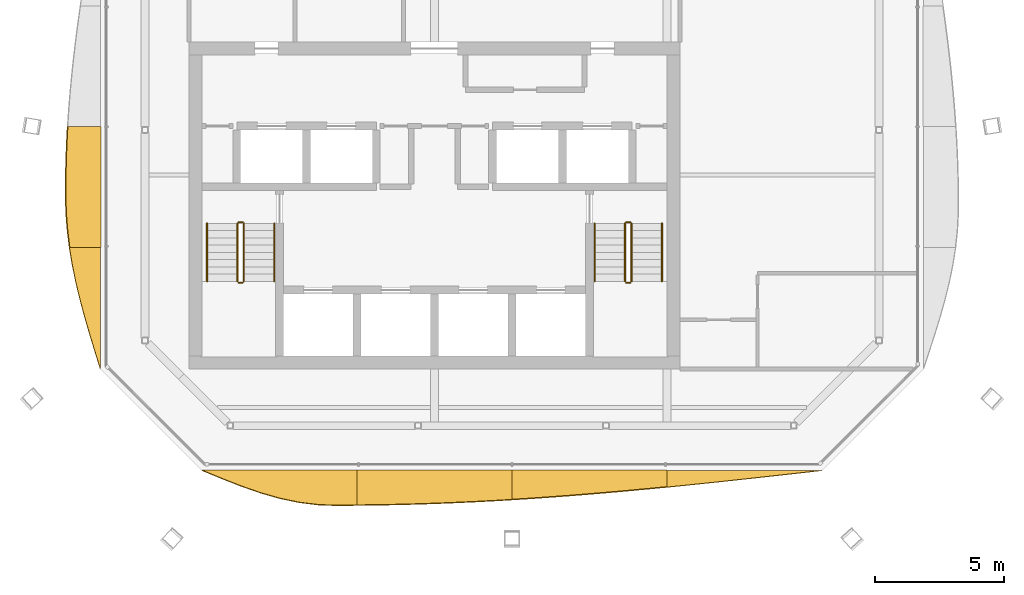
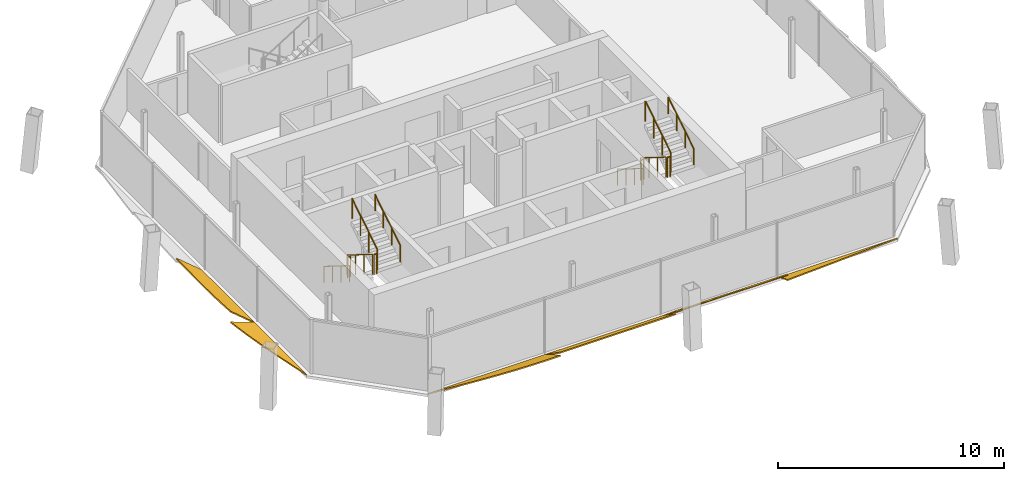
# One storey, part 11 of 13: 12 railings, 6 shading devices.
"""IFC4 building model written with IfcOpenShell, lengths in metres."""

from ifc_helpers import new_model, si_unit, direction, frame, origin, origin_2d, place, context, subcontext, project, spatial, polyline, circle, outline, extrude, material, layer, layer_set, type_object, element, save


model = new_model("IFC4")

# Units and contexts
model_context = context("Model", 3, precision=1e-05, world=origin(), true_north=direction((0.0, 1.0)))
body_context = subcontext(model_context, "Body", "Model", "MODEL_VIEW")
ifc_project = project(units=[si_unit("LENGTHUNIT", "METRE"), si_unit("AREAUNIT", "SQUARE_METRE"), si_unit("VOLUMEUNIT", "CUBIC_METRE"), si_unit("PLANEANGLEUNIT", "RADIAN"), si_unit("MASSUNIT", "GRAM", prefix="KILO")], contexts=[model_context])

# Site, building, storey
site_placement = place(None, origin())
site = spatial("IfcSite", under=ifc_project, at=site_placement, CompositionType="ELEMENT")
building_placement = place(site_placement, origin())
building = spatial("IfcBuilding", under=site, at=building_placement, Name="Tskaro Facet Tower", CompositionType="ELEMENT")
storey_placement = place(building_placement, frame((0.0, 0.0, 281.550048828125)))
storey = spatial("IfcBuildingStorey", under=building, at=storey_placement, Name="L75", CompositionType="ELEMENT", Elevation=281.550048828125)

# Shading devices
ifc_material_1 = material(Name="Bronze anodised aluminium 6063-T6", Category="aluminium")
ifc_layer = layer(ifc_material_1, 0.06005859375, Name="Bronze anodised aluminium 6063-T6")
ifc_layer_set = layer_set([ifc_layer], Name="Bronze anodised aluminium 6063-T6")
shading_device_type = type_object("IfcShadingDeviceType", Name="Bronze sun blade (FN1)", PredefinedType="USERDEFINED", material=ifc_layer_set)
shading_device_1_placement = place(storey_placement, frame((-8.990966796875, -15.91796875, 0.052001953125), z_axis=(-6.409949e-06, 0.499912425114, 0.866075959241), x_axis=(0.999999999979, 3.204413e-06, 5.551503e-06)))
element("IfcShadingDevice", 1, at=shading_device_1_placement, inside=storey, type_object=shading_device_type, Name="Fin blade south 1", ObjectType="FIN", PredefinedType="USERDEFINED", context=body_context, shape_type="SweptSolid", body=[
    extrude(outline(polyline([(0.0, 0.0), (5.995361328001834, -2.5391342878080876e-21), (5.995361328054782, -1.5568990073934441), (5.246093750408389, -1.5611691126705447), (5.084228515254386, -1.5613805569965358), (4.496582031605193, -1.5357925788717726), (3.7470703121330025, -1.4300163383995836), (2.997802735217702, -1.2480211011370024), (2.2482910152687454, -0.9992822503362693), (1.49877929680216, -0.6973991372764128), (0.7495117178660445, -0.3582076054282862), (0.0, 0.0)])), origin(), (0.0, 0.0, -1.0), 0.06005859375),
])
shading_device_2_placement = place(storey_placement, frame((-2.99560546875, -15.91357421875, 0.049072265625), z_axis=(6.169564e-06, 0.573564238419, 0.819160585214), x_axis=(0.999999999981, -3.538641e-06, -5.053864e-06)))
element("IfcShadingDevice", 2, at=shading_device_2_placement, inside=storey, type_object=shading_device_type, Name="Fin blade south 2", ObjectType="FIN", PredefinedType="USERDEFINED", context=body_context, shape_type="SweptSolid", body=[
    extrude(outline(polyline([(0.0, 0.0), (5.995605468635893, 0.0), (5.995605469329377, -1.3860940044512713), (5.246093750140807, -1.4391960830583697), (4.496826171202732, -1.48667795018623), (3.7473144524990136, -1.5283995755032045), (2.997802734654647, -1.5643609590092935), (2.2485351565667755, -1.5941621199499894), (1.4990234369854094, -1.617803058325293), (0.7495117190032502, -1.635003713471908), (1.5259092293364707e-10, -1.6460441460531303), (0.0, 0.0)])), origin(), (0.0, 0.0, -1.0), 0.06005859375),
])
shading_device_3_placement = place(storey_placement, frame((3.0, -15.909423828125, 0.0458984375), z_axis=(-8.470311e-06, 0.642764858309, 0.766063533169), x_axis=(0.999999999964, 5.444418e-06, 6.488796e-06)))
element("IfcShadingDevice", 3, at=shading_device_3_placement, inside=storey, type_object=shading_device_type, Name="Fin blade south 3", ObjectType="FIN", PredefinedType="USERDEFINED", context=body_context, shape_type="SweptSolid", body=[
    extrude(outline(polyline([(0.0, 0.0), (5.995605468534919, 5.0784753707693134e-21), (5.9956054685939115, -0.8435915338687505), (5.246093749812805, -0.9385569019047724), (4.4965820311403535, -1.0297086930409705), (3.7470703125765583, -1.117046907277345), (2.99780273423646, -1.199883640125845), (2.2482910148700768, -1.2782188915864703), (1.498779296176628, -1.3515216821854112), (0.7495117201103083, -1.4196049846928833), (-6.60604787531928e-10, -1.4821850512959474), (0.0, 0.0)])), origin(), (0.0, 0.0, -1.0), 0.06005859375),
])
shading_device_4_placement = place(storey_placement, frame((8.99560546875, -15.927490234375, 0.056396484375), z_axis=(1.331137e-06, 0.341879176398, 0.939743916577), x_axis=(0.999999999999, -4.55088e-07, -1.250928e-06)))
element("IfcShadingDevice", 4, at=shading_device_4_placement, inside=storey, type_object=shading_device_type, Name="Fin blade south 4", ObjectType="FIN", PredefinedType="USERDEFINED", context=body_context, shape_type="SweptSolid", body=[
    extrude(outline(polyline([(0.0, 0.0), (5.995361328119689, 0.0), (5.24584960952645, -0.08958655963602827), (4.496582031336002, -0.17871425993779003), (3.747070312603746, -0.26729963430948483), (2.997558593732469, -0.35488382341684616), (2.248291015430364, -0.4409245013298071), (1.4987792967528337, -0.5253382014525672), (0.7492675781026664, -0.6076660644508599), (-6.243520220201824e-12, -0.6876786606575519), (0.0, 0.0)])), origin(), (0.0, 0.0, -1.0), 0.06005859375),
])
shading_device_5_placement = place(storey_placement, frame((-12.909423828125, -2.630615234375, 0.0458984375), z_axis=(0.642784343183, -5.837445e-06, 0.766047184007), x_axis=(-3.752218e-06, -0.999999999983, -4.471759e-06)))
element("IfcShadingDevice", 5, at=shading_device_5_placement, inside=storey, type_object=shading_device_type, Name="Fin blade west 3", ObjectType="FIN", PredefinedType="USERDEFINED", context=body_context, shape_type="SweptSolid", body=[
    extrude(outline(polyline([(0.0, 0.0), (4.680175781170259, 0.0), (4.68017578120881, -1.5606772281076864), (4.011474609487671, -1.6693340669514936), (3.343017577599321, -1.7379483517860566), (2.6743164062638516, -1.7646433877922192), (2.5834960945057994, -1.7651743640400792), (2.005615234676135, -1.7601419052007632), (1.3371582028846138, -1.7414179753487917), (0.6684570311200971, -1.7095335507320253), (-2.834926505946393e-10, -1.6643016081121775), (0.0, 0.0)])), origin(), (0.0, 0.0, -1.0), 0.06005859375),
])
shading_device_6_placement = place(storey_placement, frame((-12.927490234375, -7.310791015625, 0.056396484375), z_axis=(0.341969319561, 5.316538e-06, 0.939711117552), x_axis=(1.818093e-06, -0.999999999986, 4.99601e-06)))
element("IfcShadingDevice", 6, at=shading_device_6_placement, inside=storey, type_object=shading_device_type, Name="Fin blade west 4", ObjectType="FIN", PredefinedType="USERDEFINED", context=body_context, shape_type="SweptSolid", body=[
    extrude(outline(polyline([(0.0, 0.0), (4.680175781183856, 0.0), (4.011718749769879, -0.222120474585752), (3.3430175785140794, -0.4388386740968383), (2.6743164067171583, -0.6451276781743074), (2.0058593748995466, -0.836044055062617), (1.3371582029264126, -1.0067278616096351), (0.6684570307624347, -1.1532368413014764), (-7.599224172155509e-11, -1.2722545581501987), (0.0, 0.0)])), origin(), (0.0, 0.0, -1.0), 0.06005859375),
])

# Railings
ifc_material_2 = material(Name="Stainless steel", Category="steel")
railing_type_1 = type_object("IfcRailingType", Name="RL-GUARD-1100", PredefinedType="GUARDRAIL", material=ifc_material_2)
railing_1_placement = place(storey_placement, frame((-7.625, -6.375, 0.175048828125)))
element("IfcRailing", 7, at=railing_1_placement, inside=storey, type_object=railing_type_1, Name="L75 ST-1 stair guard 1", PredefinedType="GUARDRAIL", context=body_context, shape_type="SweptSolid", body=[
    extrude(circle(Radius=0.02392578125, at=origin_2d()), frame((0.0, 0.0, 1.076171875), z_axis=(0.0, -0.848013881152, 0.529974015752), x_axis=(1.0, 0.0, 0.0)), (0.0, 0.0, 1.0), 2.641357421875),
    extrude(circle(Radius=0.02099609375, at=origin_2d()), origin(), (0.0, 0.0, 1.0), 1.052001953125),
    extrude(circle(Radius=0.02099609375, at=origin_2d()), frame((0.0, -0.74658203125, 0.466552734375)), (0.0, 0.0, 1.0), 1.052001953125),
    extrude(circle(Radius=0.02099609375, at=origin_2d()), frame((0.0, -1.493408203125, 0.933349609375)), (0.0, 0.0, 1.0), 1.052001953125),
    extrude(circle(Radius=0.02099609375, at=origin_2d()), frame((0.0, -2.239990234375, 1.39990234375)), (0.0, 0.0, 1.0), 1.052001953125),
])
railing_2_placement = place(storey_placement, frame((-7.574951171875, -8.6650390625, 1.574951171875)))
element("IfcRailing", 8, at=railing_2_placement, inside=storey, type_object=railing_type_1, Name="L75 ST-1 stair guard 2", PredefinedType="GUARDRAIL", context=body_context, shape_type="SweptSolid", body=[
    extrude(circle(Radius=0.02392578125, at=origin_2d()), frame((0.0, 0.0, 1.076171875), z_axis=(1.0, 0.0, 0.0), x_axis=(0.0, 1.0, 0.0)), (0.0, 0.0, 1.0), 0.14990234375),
    extrude(circle(Radius=0.02099609375, at=origin_2d()), origin(), (0.0, 0.0, 1.0), 1.052001953125),
    extrude(circle(Radius=0.02099609375, at=origin_2d()), frame((0.14990234375, 0.0, 0.0)), (0.0, 0.0, 1.0), 1.052001953125),
])
railing_3_placement = place(storey_placement, frame((-7.375, -8.614990234375, 1.75)))
element("IfcRailing", 9, at=railing_3_placement, inside=storey, type_object=railing_type_1, Name="L75 ST-1 stair guard 3", PredefinedType="GUARDRAIL", context=body_context, shape_type="SweptSolid", body=[
    extrude(circle(Radius=0.02392578125, at=origin_2d()), frame((0.0, 0.0, 1.076171875), z_axis=(0.0, 0.848013881152, 0.529974015752), x_axis=(-1.0, 0.0, 0.0)), (0.0, 0.0, 1.0), 2.641357421875),
    extrude(circle(Radius=0.02099609375, at=origin_2d()), origin(), (0.0, 0.0, 1.0), 1.052001953125),
    extrude(circle(Radius=0.02099609375, at=origin_2d()), frame((0.0, 0.74658203125, 0.466552734375)), (0.0, 0.0, 1.0), 1.052001953125),
    extrude(circle(Radius=0.02099609375, at=origin_2d()), frame((0.0, 1.493408203125, 0.933349609375)), (0.0, 0.0, 1.0), 1.052001953125),
    extrude(circle(Radius=0.02099609375, at=origin_2d()), frame((0.0, 2.239990234375, 1.39990234375)), (0.0, 0.0, 1.0), 1.052001953125),
])
railing_4_placement = place(storey_placement, frame((-7.574951171875, -6.324951171875, 0.0)))
element("IfcRailing", 10, at=railing_4_placement, inside=storey, type_object=railing_type_1, Name="L75 ST-1 stair guard 4", PredefinedType="GUARDRAIL", context=body_context, shape_type="SweptSolid", body=[
    extrude(circle(Radius=0.02392578125, at=origin_2d()), frame((0.0, 0.0, 1.076171875), z_axis=(1.0, 0.0, 0.0), x_axis=(0.0, 1.0, 0.0)), (0.0, 0.0, 1.0), 0.14990234375),
    extrude(circle(Radius=0.02099609375, at=origin_2d()), origin(), (0.0, 0.0, 1.0), 1.052001953125),
    extrude(circle(Radius=0.02099609375, at=origin_2d()), frame((0.14990234375, 0.0, 0.0)), (0.0, 0.0, 1.0), 1.052001953125),
])
railing_5_placement = place(storey_placement, frame((7.375, -6.375, 0.175048828125)))
element("IfcRailing", 11, at=railing_5_placement, inside=storey, type_object=railing_type_1, Name="L75 ST-2 stair guard 1", PredefinedType="GUARDRAIL", context=body_context, shape_type="SweptSolid", body=[
    extrude(circle(Radius=0.02392578125, at=origin_2d()), frame((0.0, 0.0, 1.076171875), z_axis=(0.0, -0.848013881152, 0.529974015752), x_axis=(1.0, 0.0, 0.0)), (0.0, 0.0, 1.0), 2.641357421875),
    extrude(circle(Radius=0.02099609375, at=origin_2d()), origin(), (0.0, 0.0, 1.0), 1.052001953125),
    extrude(circle(Radius=0.02099609375, at=origin_2d()), frame((0.0, -0.74658203125, 0.466552734375)), (0.0, 0.0, 1.0), 1.052001953125),
    extrude(circle(Radius=0.02099609375, at=origin_2d()), frame((0.0, -1.493408203125, 0.933349609375)), (0.0, 0.0, 1.0), 1.052001953125),
    extrude(circle(Radius=0.02099609375, at=origin_2d()), frame((0.0, -2.239990234375, 1.39990234375)), (0.0, 0.0, 1.0), 1.052001953125),
])
railing_6_placement = place(storey_placement, frame((7.425048828125, -8.6650390625, 1.574951171875)))
element("IfcRailing", 12, at=railing_6_placement, inside=storey, type_object=railing_type_1, Name="L75 ST-2 stair guard 2", PredefinedType="GUARDRAIL", context=body_context, shape_type="SweptSolid", body=[
    extrude(circle(Radius=0.02392578125, at=origin_2d()), frame((0.0, 0.0, 1.076171875), z_axis=(1.0, 0.0, 0.0), x_axis=(0.0, 1.0, 0.0)), (0.0, 0.0, 1.0), 0.14990234375),
    extrude(circle(Radius=0.02099609375, at=origin_2d()), origin(), (0.0, 0.0, 1.0), 1.052001953125),
    extrude(circle(Radius=0.02099609375, at=origin_2d()), frame((0.14990234375, 0.0, 0.0)), (0.0, 0.0, 1.0), 1.052001953125),
])
railing_7_placement = place(storey_placement, frame((7.625, -8.614990234375, 1.75)))
element("IfcRailing", 13, at=railing_7_placement, inside=storey, type_object=railing_type_1, Name="L75 ST-2 stair guard 3", PredefinedType="GUARDRAIL", context=body_context, shape_type="SweptSolid", body=[
    extrude(circle(Radius=0.02392578125, at=origin_2d()), frame((0.0, 0.0, 1.076171875), z_axis=(0.0, 0.848013881152, 0.529974015752), x_axis=(-1.0, 0.0, 0.0)), (0.0, 0.0, 1.0), 2.641357421875),
    extrude(circle(Radius=0.02099609375, at=origin_2d()), origin(), (0.0, 0.0, 1.0), 1.052001953125),
    extrude(circle(Radius=0.02099609375, at=origin_2d()), frame((0.0, 0.74658203125, 0.466552734375)), (0.0, 0.0, 1.0), 1.052001953125),
    extrude(circle(Radius=0.02099609375, at=origin_2d()), frame((0.0, 1.493408203125, 0.933349609375)), (0.0, 0.0, 1.0), 1.052001953125),
    extrude(circle(Radius=0.02099609375, at=origin_2d()), frame((0.0, 2.239990234375, 1.39990234375)), (0.0, 0.0, 1.0), 1.052001953125),
])
railing_8_placement = place(storey_placement, frame((7.425048828125, -6.324951171875, 0.0)))
element("IfcRailing", 14, at=railing_8_placement, inside=storey, type_object=railing_type_1, Name="L75 ST-2 stair guard 4", PredefinedType="GUARDRAIL", context=body_context, shape_type="SweptSolid", body=[
    extrude(circle(Radius=0.02392578125, at=origin_2d()), frame((0.0, 0.0, 1.076171875), z_axis=(1.0, 0.0, 0.0), x_axis=(0.0, 1.0, 0.0)), (0.0, 0.0, 1.0), 0.14990234375),
    extrude(circle(Radius=0.02099609375, at=origin_2d()), origin(), (0.0, 0.0, 1.0), 1.052001953125),
    extrude(circle(Radius=0.02099609375, at=origin_2d()), frame((0.14990234375, 0.0, 0.0)), (0.0, 0.0, 1.0), 1.052001953125),
])
railing_type_2 = type_object("IfcRailingType", Name="RL-HANDRAIL-900", PredefinedType="HANDRAIL", material=ifc_material_2)
railing_9_placement = place(storey_placement, frame((-8.800048828125, -6.375, 0.175048828125)))
element("IfcRailing", 15, at=railing_9_placement, inside=storey, type_object=railing_type_2, Name="L75 ST-1 stair handrail 1", PredefinedType="HANDRAIL", context=body_context, shape_type="SweptSolid", body=[
    extrude(circle(Radius=0.02392578125, at=origin_2d()), frame((0.0, 0.0, 0.8759765625), z_axis=(0.0, -0.848013881152, 0.529974015752), x_axis=(1.0, 0.0, 0.0)), (0.0, 0.0, 1.0), 2.641357421875),
    extrude(circle(Radius=0.02099609375, at=origin_2d()), origin(), (0.0, 0.0, 1.0), 0.851806640625),
    extrude(circle(Radius=0.02099609375, at=origin_2d()), frame((0.0, -0.74658203125, 0.466552734375)), (0.0, 0.0, 1.0), 0.851806640625),
    extrude(circle(Radius=0.02099609375, at=origin_2d()), frame((0.0, -1.493408203125, 0.933349609375)), (0.0, 0.0, 1.0), 0.851806640625),
    extrude(circle(Radius=0.02099609375, at=origin_2d()), frame((0.0, -2.239990234375, 1.39990234375)), (0.0, 0.0, 1.0), 0.851806640625),
])
railing_10_placement = place(storey_placement, frame((-6.199951171875, -8.614990234375, 1.75)))
element("IfcRailing", 16, at=railing_10_placement, inside=storey, type_object=railing_type_2, Name="L75 ST-1 stair handrail 2", PredefinedType="HANDRAIL", context=body_context, shape_type="SweptSolid", body=[
    extrude(circle(Radius=0.02392578125, at=origin_2d()), frame((0.0, 0.0, 0.8759765625), z_axis=(0.0, 0.848013881152, 0.529974015752), x_axis=(-1.0, 0.0, 0.0)), (0.0, 0.0, 1.0), 2.641357421875),
    extrude(circle(Radius=0.02099609375, at=origin_2d()), origin(), (0.0, 0.0, 1.0), 0.851806640625),
    extrude(circle(Radius=0.02099609375, at=origin_2d()), frame((0.0, 0.74658203125, 0.466552734375)), (0.0, 0.0, 1.0), 0.851806640625),
    extrude(circle(Radius=0.02099609375, at=origin_2d()), frame((0.0, 1.493408203125, 0.933349609375)), (0.0, 0.0, 1.0), 0.851806640625),
    extrude(circle(Radius=0.02099609375, at=origin_2d()), frame((0.0, 2.239990234375, 1.39990234375)), (0.0, 0.0, 1.0), 0.851806640625),
])
railing_11_placement = place(storey_placement, frame((6.199951171875, -6.375, 0.175048828125)))
element("IfcRailing", 17, at=railing_11_placement, inside=storey, type_object=railing_type_2, Name="L75 ST-2 stair handrail 1", PredefinedType="HANDRAIL", context=body_context, shape_type="SweptSolid", body=[
    extrude(circle(Radius=0.02392578125, at=origin_2d()), frame((0.0, 0.0, 0.8759765625), z_axis=(0.0, -0.848013881152, 0.529974015752), x_axis=(1.0, 0.0, 0.0)), (0.0, 0.0, 1.0), 2.641357421875),
    extrude(circle(Radius=0.02099609375, at=origin_2d()), origin(), (0.0, 0.0, 1.0), 0.851806640625),
    extrude(circle(Radius=0.02099609375, at=origin_2d()), frame((0.0, -0.74658203125, 0.466552734375)), (0.0, 0.0, 1.0), 0.851806640625),
    extrude(circle(Radius=0.02099609375, at=origin_2d()), frame((0.0, -1.493408203125, 0.933349609375)), (0.0, 0.0, 1.0), 0.851806640625),
    extrude(circle(Radius=0.02099609375, at=origin_2d()), frame((0.0, -2.239990234375, 1.39990234375)), (0.0, 0.0, 1.0), 0.851806640625),
])
railing_12_placement = place(storey_placement, frame((8.800048828125, -8.614990234375, 1.75)))
element("IfcRailing", 18, at=railing_12_placement, inside=storey, type_object=railing_type_2, Name="L75 ST-2 stair handrail 2", PredefinedType="HANDRAIL", context=body_context, shape_type="SweptSolid", body=[
    extrude(circle(Radius=0.02392578125, at=origin_2d()), frame((0.0, 0.0, 0.8759765625), z_axis=(0.0, 0.848013881152, 0.529974015752), x_axis=(-1.0, 0.0, 0.0)), (0.0, 0.0, 1.0), 2.641357421875),
    extrude(circle(Radius=0.02099609375, at=origin_2d()), origin(), (0.0, 0.0, 1.0), 0.851806640625),
    extrude(circle(Radius=0.02099609375, at=origin_2d()), frame((0.0, 0.74658203125, 0.466552734375)), (0.0, 0.0, 1.0), 0.851806640625),
    extrude(circle(Radius=0.02099609375, at=origin_2d()), frame((0.0, 1.493408203125, 0.933349609375)), (0.0, 0.0, 1.0), 0.851806640625),
    extrude(circle(Radius=0.02099609375, at=origin_2d()), frame((0.0, 2.239990234375, 1.39990234375)), (0.0, 0.0, 1.0), 0.851806640625),
])

save(model, "model.ifc")
